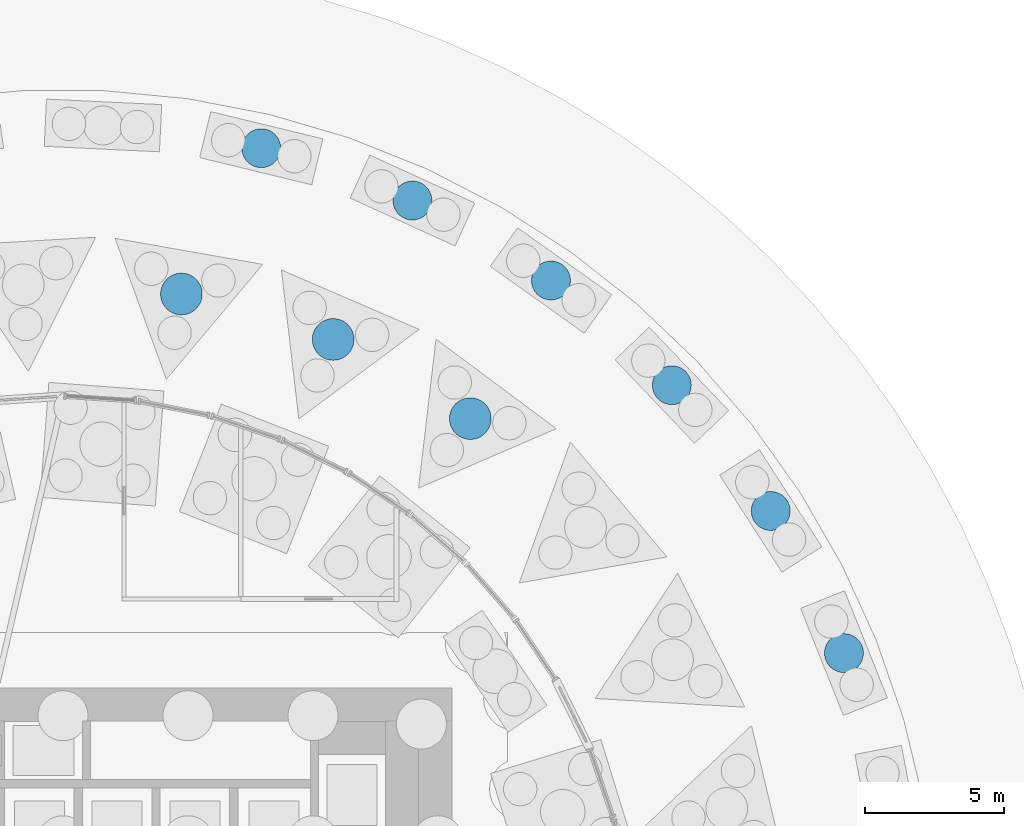
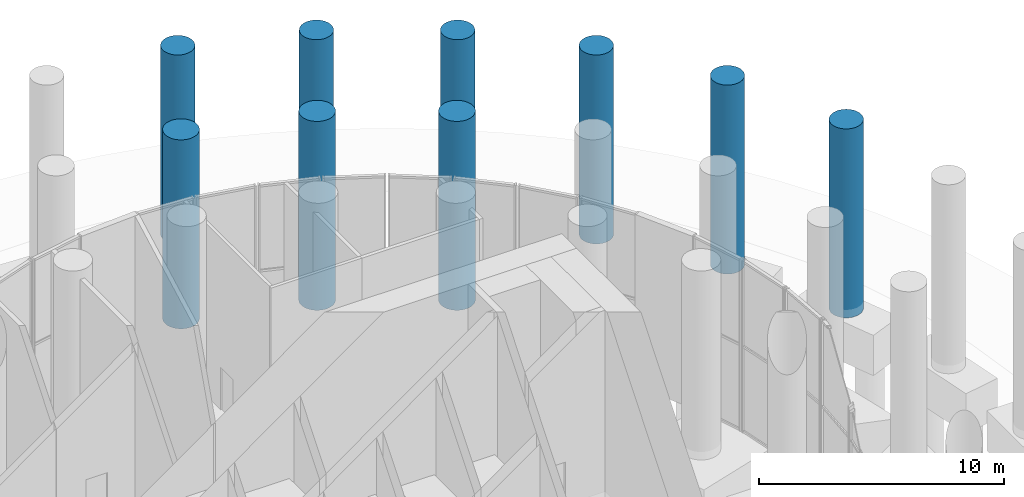
# One storey, part 5 of 20: 9 columns.
"""IFC4 building model written with IfcOpenShell, lengths in metres."""

from ifc_helpers import new_model, si_unit, direction, frame, origin, origin_2d, place, context, subcontext, project, spatial, circle, extrude, material, material_profile, profile_set, type_object, element, save


model = new_model("IFC4")

# Units and contexts
model_context = context("Model", 3, precision=1e-05, world=origin(), true_north=direction((0.0, 1.0)))
body_context = subcontext(model_context, "Body", "Model", "MODEL_VIEW")
ifc_project = project(units=[si_unit("LENGTHUNIT", "METRE"), si_unit("AREAUNIT", "SQUARE_METRE"), si_unit("VOLUMEUNIT", "CUBIC_METRE"), si_unit("PLANEANGLEUNIT", "RADIAN"), si_unit("MASSUNIT", "GRAM", prefix="KILO")], contexts=[model_context])

# Site, building, storey
site_placement = place(None, origin())
site = spatial("IfcSite", under=ifc_project, at=site_placement, CompositionType="ELEMENT")
building_placement = place(site_placement, origin())
building = spatial("IfcBuilding", under=site, at=building_placement, Name="Tracery Tower", CompositionType="ELEMENT")
storey_placement = place(building_placement, origin())
storey = spatial("IfcBuildingStorey", under=building, at=storey_placement, Name="L00", CompositionType="ELEMENT", Elevation=0.0)

# Columns
ifc_material_1 = material(Name="Concrete C60/75", Category="concrete")
ifc_material_profile_1 = material_profile(ifc_material_1, circle(Radius=0.699951171875, at=origin_2d()), Name="RC D1400")
ifc_profile_set_1 = profile_set([ifc_material_profile_1], Name="Concrete C60/75")
column_type_1 = type_object("IfcColumnType", Name="Ring 0 ground storey column 1400", PredefinedType="COLUMN", material=ifc_profile_set_1)
for number, where, z_axis, x_axis, name in (
    (1, (28.10595703125, 11.251953125, -0.39990234375), (0.0, 0.0, 1.0), (1.0, 0.0, 0.0), "Ring 0 column 02 at L00"),
    (2, (25.468505859375, 16.36767578125, -0.39990234375), (0.0, 0.0, 1.0), (1.0, 0.0, 0.0), "Ring 0 column 03 at L00"),
    (3, (21.910888671875, 20.891845703125, -0.39990234375), (0.0, 0.0, 1.0), (1.0, 0.0, 0.0), "Ring 0 column 04 at L00"),
    (4, (17.56103515625, 24.660888671875, -0.39990234375), (0.0, 0.0, 1.0), (1.0, 0.0, 0.0), "Ring 0 column 05 at L00"),
    (5, (12.576416015625, 27.538818359375, -0.39990234375), (0.0, 0.0, 1.0), (1.0, 0.0, 0.0), "Ring 0 column 06 at L00"),
    (6, (7.137451171875, 29.421142578125, -0.39990234375), (0.0, 0.0, 1.0), (1.0, 0.0, 0.0), "Ring 0 column 07 at L00"),
):
    element("IfcColumn", number, at=place(storey_placement, frame(where, z_axis=z_axis, x_axis=x_axis)), inside=storey, type_object=column_type_1, Name=name, PredefinedType="COLUMN", context=body_context, shape_type="SweptSolid", body=[
        extrude(circle(Radius=0.699951171875, at=origin_2d()), origin(), (0.0, 0.0, 1.0), 9.39990234375),
    ])
ifc_material_2 = material(Name="Concrete C60/75", Category="concrete")
ifc_material_profile_2 = material_profile(ifc_material_2, circle(Radius=0.75, at=origin_2d()), Name="RC D1500")
ifc_profile_set_2 = profile_set([ifc_material_profile_2], Name="Concrete C60/75")
column_type_2 = type_object("IfcColumnType", Name="Ring 1 ground storey column 1500", PredefinedType="COLUMN", material=ifc_profile_set_2)
for number, where, z_axis, x_axis, name in (
    (7, (14.658935546875, 19.690185546875, -0.39990234375), (0.0, 0.0, 1.0), (1.0, 0.0, 0.0), "Ring 1 column 04 at L00"),
    (8, (9.722900390625, 22.5400390625, -0.39990234375), (0.0, 0.0, 1.0), (1.0, 0.0, 0.0), "Ring 1 column 05 at L00"),
    (9, (4.2626953125, 24.1748046875, -0.39990234375), (0.0, 0.0, 1.0), (1.0, 0.0, 0.0), "Ring 1 column 06 at L00"),
):
    element("IfcColumn", number, at=place(storey_placement, frame(where, z_axis=z_axis, x_axis=x_axis)), inside=storey, type_object=column_type_2, Name=name, PredefinedType="COLUMN", context=body_context, shape_type="SweptSolid", body=[
        extrude(circle(Radius=0.75, at=origin_2d()), origin(), (0.0, 0.0, 1.0), 9.39990234375),
    ])

save(model, "model.ifc")
